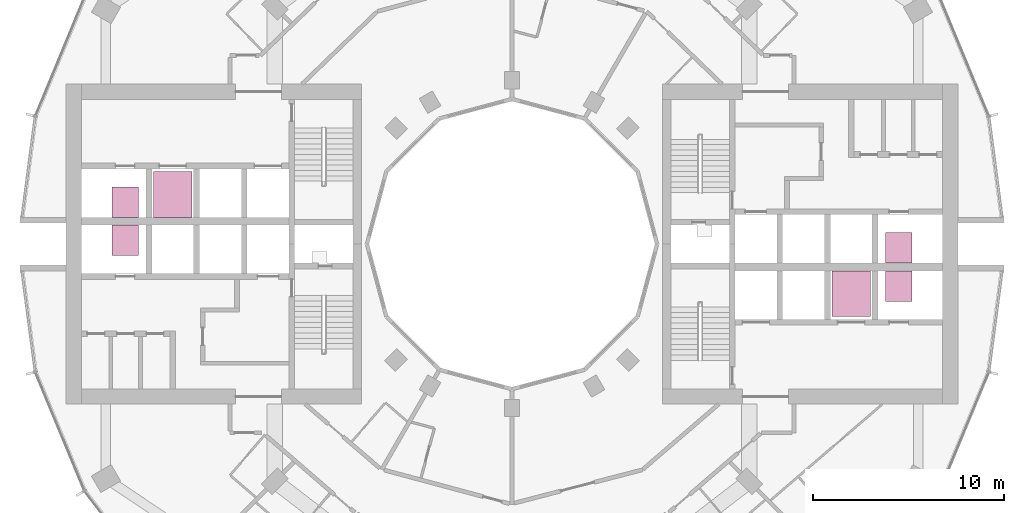
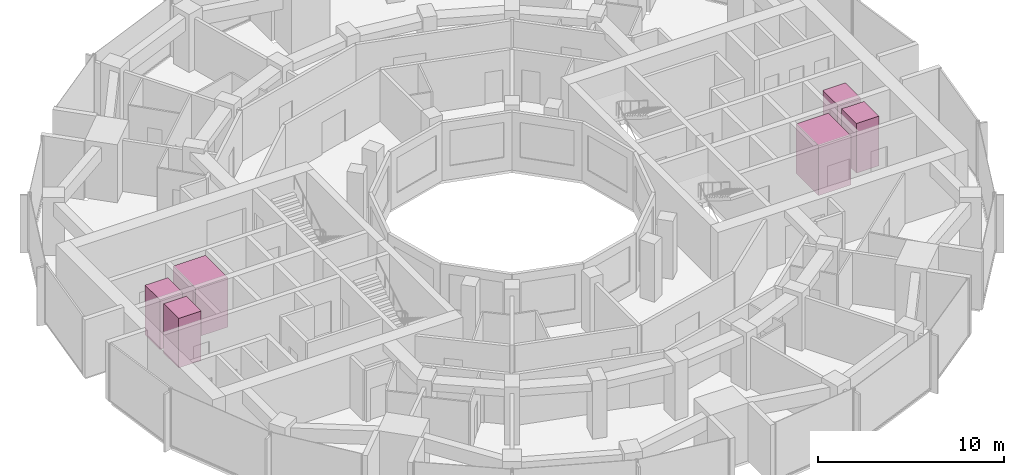
# One storey, part 15 of 15: 6 transport elements.
"""IFC4 building model written with IfcOpenShell, lengths in metres."""

from ifc_helpers import new_model, si_unit, direction, frame, origin, origin_2d, place, context, subcontext, project, spatial, rectangle, extrude, material, type_object, element, save


model = new_model("IFC4")

# Units and contexts
model_context = context("Model", 3, precision=1e-05, world=origin(), true_north=direction((0.0, 1.0)))
body_context = subcontext(model_context, "Body", "Model", "MODEL_VIEW")
ifc_project = project(units=[si_unit("LENGTHUNIT", "METRE"), si_unit("AREAUNIT", "SQUARE_METRE"), si_unit("VOLUMEUNIT", "CUBIC_METRE"), si_unit("PLANEANGLEUNIT", "RADIAN"), si_unit("MASSUNIT", "GRAM", prefix="KILO")], contexts=[model_context])

# Site, building, storey
site_placement = place(None, origin())
site = spatial("IfcSite", under=ifc_project, at=site_placement, CompositionType="ELEMENT")
building_placement = place(site_placement, origin())
building = spatial("IfcBuilding", under=site, at=building_placement, Name="Torre Brocal", CompositionType="ELEMENT")
storey_placement = place(building_placement, frame((0.0, 0.0, 97.60009765625)))
storey = spatial("IfcBuildingStorey", under=building, at=storey_placement, Name="L22", CompositionType="ELEMENT", Elevation=97.60009765625)

# Transport elements
ifc_material_1 = material(Name="Stainless steel AISI 316", Category="steel")
transport_element_type_1 = type_object("IfcTransportElementType", Name="PASSENGER LIFT 2000", PredefinedType="ELEVATOR", material=ifc_material_1)
for number, where, z_axis, x_axis, name in (
    (1, (97.800048828125, 72.39990234375, 0.0), (0.0, 0.0, 1.0), (1.0, 0.0, 0.0), "LOW RISE LIFT E-LR2"),
    (2, (62.199951171875, 77.60009765625, 0.0), (0.0, 0.0, 1.0), (1.0, 0.0, 0.0), "LOW RISE LIFT W-LR2"),
):
    element("IfcTransportElement", number, at=place(storey_placement, frame(where, z_axis=z_axis, x_axis=x_axis)), inside=storey, type_object=transport_element_type_1, Name=name, PredefinedType="ELEVATOR", context=body_context, shape_type="SweptSolid", body=[
        extrude(rectangle(XDim=2.0, YDim=2.39990234375, at=origin_2d()), origin(), (0.0, 0.0, 1.0), 3.25),
    ])
ifc_material_2 = material(Name="Stainless steel AISI 316", Category="steel")
transport_element_type_2 = type_object("IfcTransportElementType", Name="PASSENGER LIFT 900", PredefinedType="ELEVATOR", material=ifc_material_2)
for number, where, z_axis, x_axis, name in (
    (3, (100.300048828125, 74.800048828125, 0.0), (0.0, 0.0, 1.0), (1.0, 0.0, 0.0), "LOW RISE LIFT E-LR1"),
    (4, (100.300048828125, 72.800048828125, 0.0), (0.0, 0.0, 1.0), (1.0, 0.0, 0.0), "LOW RISE LIFT E-LR3"),
    (5, (59.699951171875, 75.199951171875, 0.0), (0.0, 0.0, 1.0), (1.0, 0.0, 0.0), "LOW RISE LIFT W-LR1"),
    (6, (59.699951171875, 77.199951171875, 0.0), (0.0, 0.0, 1.0), (1.0, 0.0, 0.0), "LOW RISE LIFT W-LR3"),
):
    element("IfcTransportElement", number, at=place(storey_placement, frame(where, z_axis=z_axis, x_axis=x_axis)), inside=storey, type_object=transport_element_type_2, Name=name, PredefinedType="ELEVATOR", context=body_context, shape_type="SweptSolid", body=[
        extrude(rectangle(XDim=1.39990234375, YDim=1.60009765625, at=origin_2d()), origin(), (0.0, 0.0, 1.0), 3.25),
    ])

save(model, "model.ifc")
